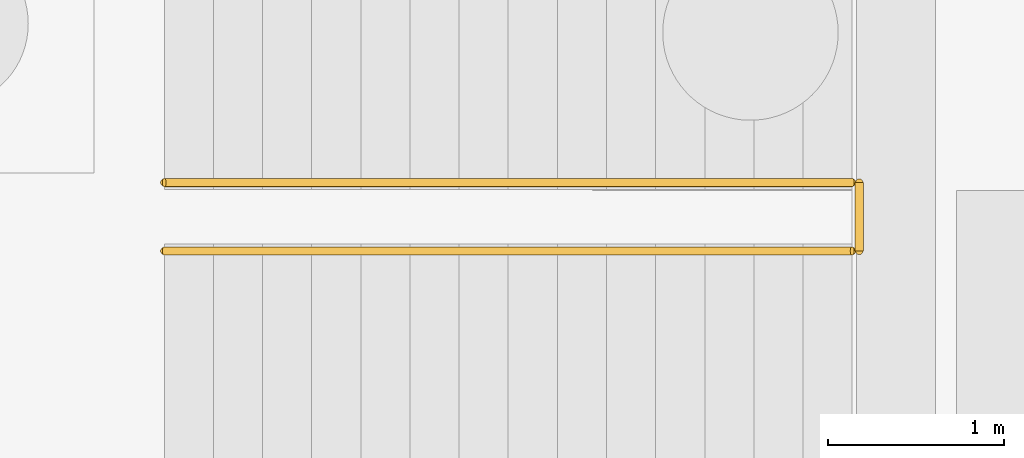
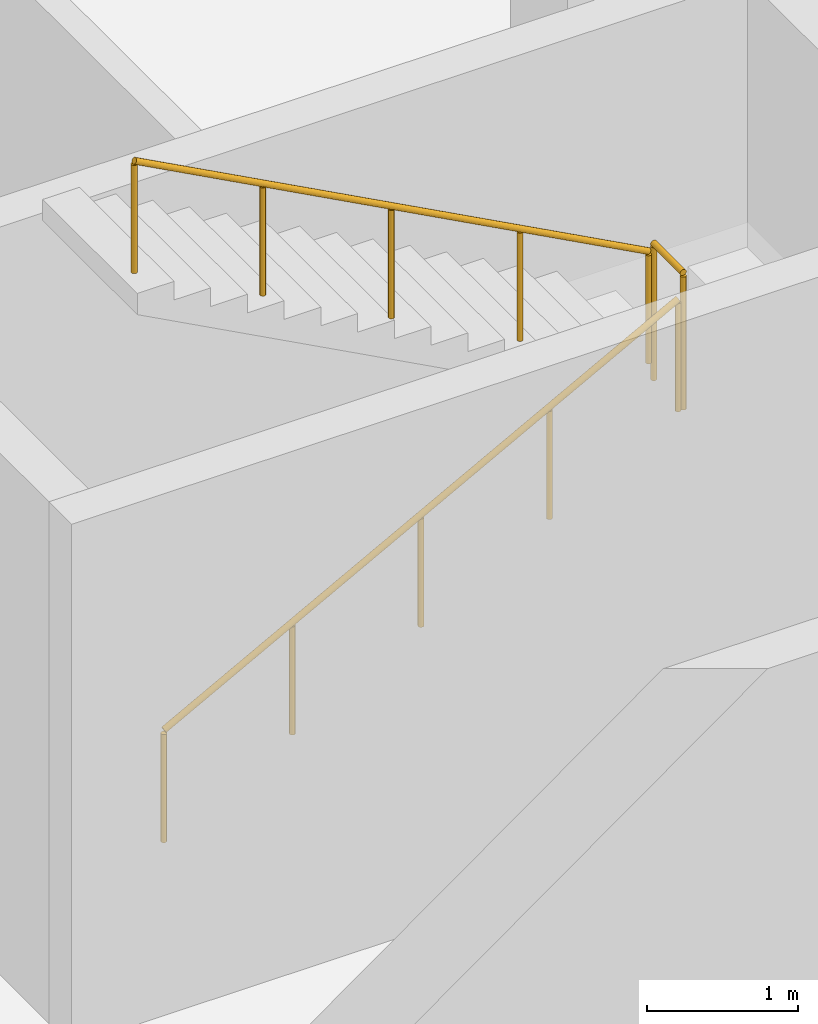
# One storey, part 37 of 41: 3 railings.
"""IFC4 building model written with IfcOpenShell, lengths in metres."""

from ifc_helpers import new_model, si_unit, direction, frame, origin, origin_2d, place, context, subcontext, project, spatial, circle, extrude, material, type_object, element, save


model = new_model("IFC4")

# Units and contexts
model_context = context("Model", 3, precision=1e-05, world=origin(), true_north=direction((0.0, 1.0)))
body_context = subcontext(model_context, "Body", "Model", "MODEL_VIEW")
ifc_project = project(units=[si_unit("LENGTHUNIT", "METRE"), si_unit("AREAUNIT", "SQUARE_METRE"), si_unit("VOLUMEUNIT", "CUBIC_METRE"), si_unit("PLANEANGLEUNIT", "RADIAN"), si_unit("MASSUNIT", "GRAM", prefix="KILO")], contexts=[model_context])

# Site, building, storey
site_placement = place(None, origin())
site = spatial("IfcSite", under=ifc_project, at=site_placement, CompositionType="ELEMENT")
building_placement = place(site_placement, origin())
building = spatial("IfcBuilding", under=site, at=building_placement, Name="Vardoun Plaza Health Centre", CompositionType="ELEMENT")
storey_placement = place(building_placement, frame((0.0, 0.0, -4.5)))
storey = spatial("IfcBuildingStorey", under=building, at=storey_placement, Name="B1", CompositionType="ELEMENT", Elevation=-4.5)

# Railings
ifc_material_1 = material(Name="Painted Steel S275JR Stair-Well Guardrail", Category="steel")
railing_type_1 = type_object("IfcRailingType", Name="GR-04", PredefinedType="GUARDRAIL", material=ifc_material_1)
railing_1_placement = place(storey_placement, frame((119.7099609375, 9.0048828125, 2.25)))
element("IfcRailing", 1, at=railing_1_placement, inside=storey, type_object=railing_type_1, Name="Stair ST-C8-B1 Mid-Landing Well Guard", PredefinedType="GUARDRAIL", context=body_context, shape_type="SweptSolid", body=[
    extrude(circle(Radius=0.02392578125, at=origin_2d()), frame((0.0, 0.0, 1.09619140625), z_axis=(0.0, 1.0, 0.0), x_axis=(-1.0, 0.0, 0.0)), (0.0, 0.0, 1.0), 0.39013671875),
    extrude(circle(Radius=0.02099609375, at=origin_2d()), origin(), (0.0, 0.0, 1.0), 1.072021484375),
    extrude(circle(Radius=0.02099609375, at=origin_2d()), frame((0.0, 0.39013671875, 0.0)), (0.0, 0.0, 1.0), 1.072021484375),
])
ifc_material_2 = material(Name="Brushed Stainless Steel Grade 316L", Category="steel")
railing_type_2 = type_object("IfcRailingType", Name="HR-01", PredefinedType="HANDRAIL", material=ifc_material_2)
railing_2_placement = place(storey_placement, frame((115.75, 9.0048828125, 0.14990234375)))
element("IfcRailing", 2, at=railing_2_placement, inside=storey, type_object=railing_type_2, Name="Stair ST-C8-B1 Flight 1 Handrail", PredefinedType="HANDRAIL", context=body_context, shape_type="SweptSolid", body=[
    extrude(circle(Radius=0.02392578125, at=origin_2d()), frame((0.0, 0.0, 0.89599609375), z_axis=(0.881466911329, 0.0, 0.472245787945), x_axis=(0.0, 1.0, 0.0)), (0.0, 0.0, 1.0), 4.447021484375),
    extrude(circle(Radius=0.02099609375, at=origin_2d()), origin(), (0.0, 0.0, 1.0), 0.871826171875),
    extrude(circle(Radius=0.02099609375, at=origin_2d()), frame((0.97998046875, 0.0, 0.52490234375)), (0.0, 0.0, 1.0), 0.871826171875),
    extrude(circle(Radius=0.02099609375, at=origin_2d()), frame((1.9599609375, 0.0, 1.050048828125)), (0.0, 0.0, 1.0), 0.871826171875),
    extrude(circle(Radius=0.02099609375, at=origin_2d()), frame((2.93994140625, 0.0, 1.5751953125)), (0.0, 0.0, 1.0), 0.871826171875),
    extrude(circle(Radius=0.02099609375, at=origin_2d()), frame((3.919921875, 0.0, 2.10009765625)), (0.0, 0.0, 1.0), 0.871826171875),
])
railing_3_placement = place(storey_placement, frame((119.669921875, 9.39501953125, 2.39990234375)))
element("IfcRailing", 3, at=railing_3_placement, inside=storey, type_object=railing_type_2, Name="Stair ST-C8-B1 Flight 2 Handrail", PredefinedType="HANDRAIL", context=body_context, shape_type="SweptSolid", body=[
    extrude(circle(Radius=0.02392578125, at=origin_2d()), frame((0.0, 0.0, 0.89599609375), z_axis=(-0.881466911329, 0.0, 0.472245787945), x_axis=(0.0, -1.0, 0.0)), (0.0, 0.0, 1.0), 4.447021484375),
    extrude(circle(Radius=0.02099609375, at=origin_2d()), origin(), (0.0, 0.0, 1.0), 0.871826171875),
    extrude(circle(Radius=0.02099609375, at=origin_2d()), frame((-0.97998046875, 0.0, 0.52490234375)), (0.0, 0.0, 1.0), 0.871826171875),
    extrude(circle(Radius=0.02099609375, at=origin_2d()), frame((-1.9599609375, 0.0, 1.050048828125)), (0.0, 0.0, 1.0), 0.871826171875),
    extrude(circle(Radius=0.02099609375, at=origin_2d()), frame((-2.93994140625, 0.0, 1.5751953125)), (0.0, 0.0, 1.0), 0.871826171875),
    extrude(circle(Radius=0.02099609375, at=origin_2d()), frame((-3.919921875, 0.0, 2.10009765625)), (0.0, 0.0, 1.0), 0.871826171875),
])

save(model, "model.ifc")
